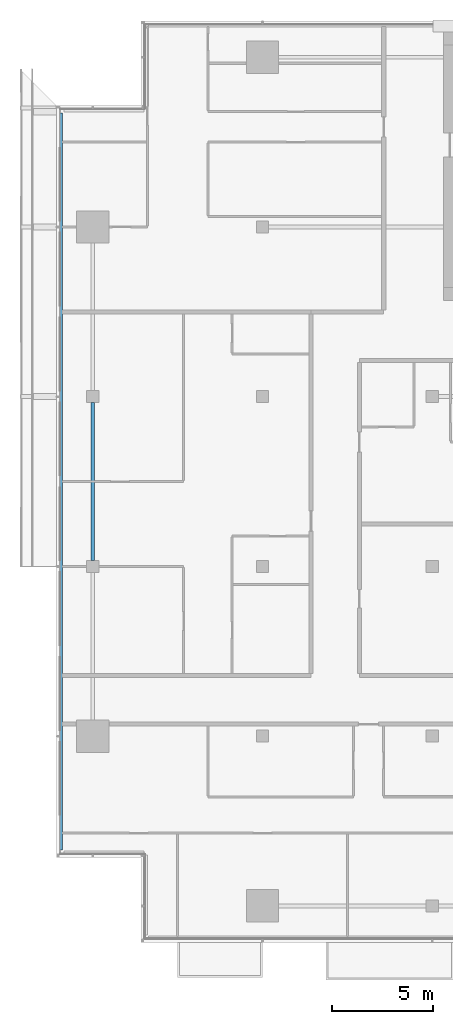
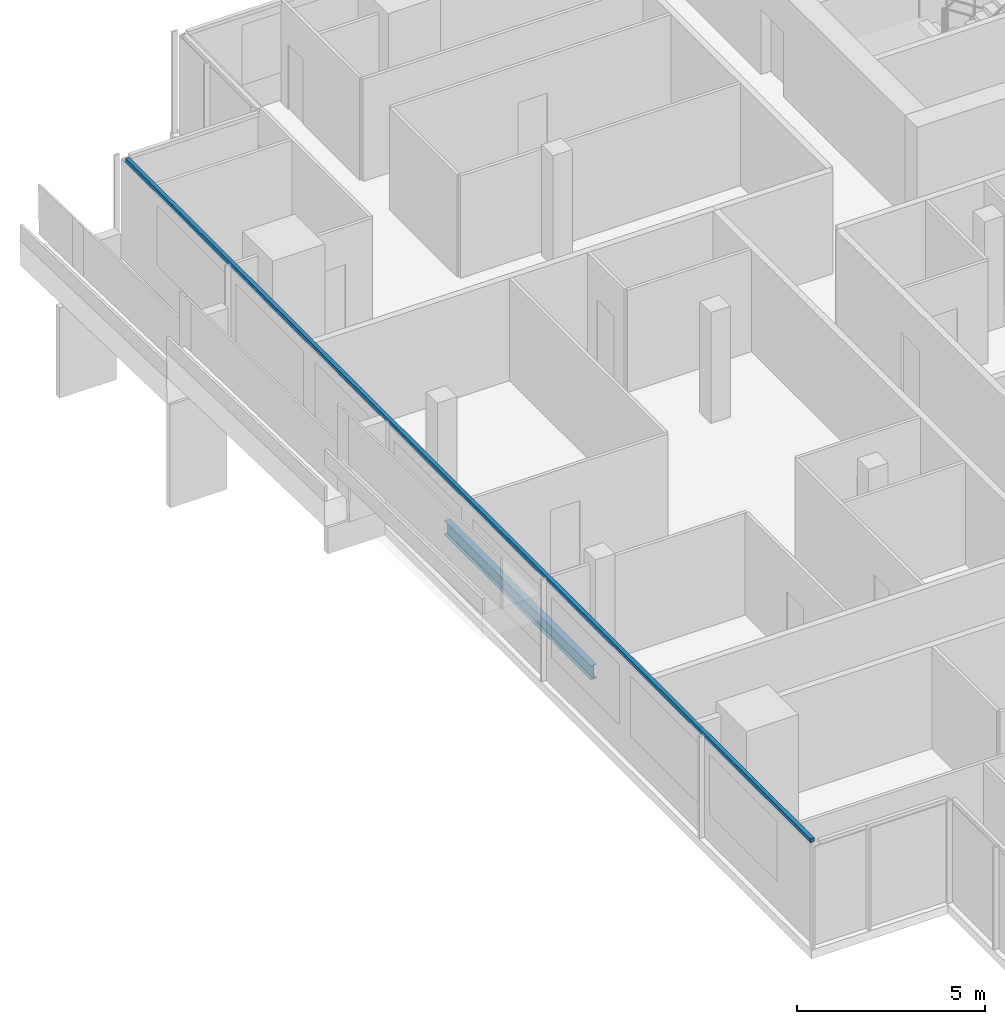
# One storey, part 3 of 29: 1 beam, 1 member, 1 element without a shape of its own.
"""IFC4 building model written with IfcOpenShell, lengths in metres."""

from ifc_helpers import new_model, si_unit, direction, frame, origin, origin_2d, place, context, subcontext, project, spatial, rectangle, i_section, extrude, material, material_profile, profile_set, type_object, element, aggregate, save


model = new_model("IFC4")

# Units and contexts
model_context = context("Model", 3, precision=1e-05, world=origin(), true_north=direction((0.0, 1.0)))
body_context = subcontext(model_context, "Body", "Model", "MODEL_VIEW")
ifc_project = project(units=[si_unit("LENGTHUNIT", "METRE"), si_unit("AREAUNIT", "SQUARE_METRE"), si_unit("VOLUMEUNIT", "CUBIC_METRE"), si_unit("PLANEANGLEUNIT", "RADIAN"), si_unit("MASSUNIT", "GRAM", prefix="KILO")], contexts=[model_context])

# Site, building, storey
site_placement = place(None, origin())
site = spatial("IfcSite", under=ifc_project, at=site_placement, CompositionType="ELEMENT")
building_placement = place(site_placement, origin())
building = spatial("IfcBuilding", under=site, at=building_placement, Name="Saffron Gate Tower", CompositionType="ELEMENT")
storey_placement = place(building_placement, frame((0.0, 0.0, 219.89990234375)))
storey = spatial("IfcBuildingStorey", under=building, at=storey_placement, Name="L53", CompositionType="ELEMENT", Elevation=219.89990234375)

# Beam
ifc_material_1 = material(Name="Structural steel S355", Category="steel")
ifc_material_profile_1 = material_profile(ifc_material_1, i_section(OverallWidth=0.18994140625, OverallDepth=0.449951171875, WebThickness=0.009521484375, FlangeThickness=0.0146484375, FilletRadius=0.02099609375, at=origin_2d()))
ifc_profile_set_1 = profile_set([ifc_material_profile_1], Name="Structural steel S355")
beam_type = type_object("IfcBeamType", Name="B7 IPE 450", PredefinedType="SPANDREL", material=ifc_profile_set_1)
beam_placement = place(storey_placement, frame((49.800048828125, 48.89990234375, -0.5048828125), z_axis=(0.0, 1.0, 0.0), x_axis=(-1.0, 0.0, 0.0)))
element("IfcBeam", 1, at=beam_placement, inside=storey, type_object=beam_type, Name="B7 SPANDREL BEAM", PredefinedType="SPANDREL", context=body_context, shape_type="SweptSolid", body=[
    extrude(i_section(OverallWidth=0.18994140625, OverallDepth=0.449951171875, WebThickness=0.009521484375, FlangeThickness=0.0146484375, FilletRadius=0.02099609375, at=origin_2d()), origin(), (0.0, 0.0, 1.0), 7.800048828125),
])

# Curtain wall, member
ifc_material_2 = material(Name="Aluminium, bronze anodised", Category="aluminium")
curtain_wall_type = type_object("IfcCurtainWallType", Name="CWS2 curtain wall side facades", PredefinedType="NOTDEFINED", material=ifc_material_2)
curtain_wall_placement = place(storey_placement, origin())
curtain_wall = element("IfcCurtainWall", 2, at=curtain_wall_placement, inside=storey, type_object=curtain_wall_type, Name="CWS2 run 10", PredefinedType="NOTDEFINED")
ifc_material_profile_2 = material_profile(ifc_material_2, rectangle(XDim=0.1201171875, YDim=0.1201171875, at=origin_2d()))
ifc_profile_set_2 = profile_set([ifc_material_profile_2], Name="Aluminium, bronze anodised")
member_type = type_object("IfcMemberType", Name="CWS2 head transom", PredefinedType="USERDEFINED", material=ifc_profile_set_2)
member_placement = place(storey_placement, frame((48.248046875, 71.031982421875, 3.260009765625), z_axis=(0.0, -1.0, 0.0), x_axis=(1.0, 0.0, 0.0)))
member = element("IfcMember", 3, at=member_placement, type_object=member_type, Name="CWS2 head transom", ObjectType="TRANSOM", PredefinedType="USERDEFINED", context=body_context, shape_type="SweptSolid", body=[
    extrude(rectangle(XDim=0.1201171875, YDim=0.1201171875, at=origin_2d()), origin(), (0.0, 0.0, 1.0), 36.4638671875),
])
aggregate(curtain_wall, [member])

save(model, "model.ifc")
